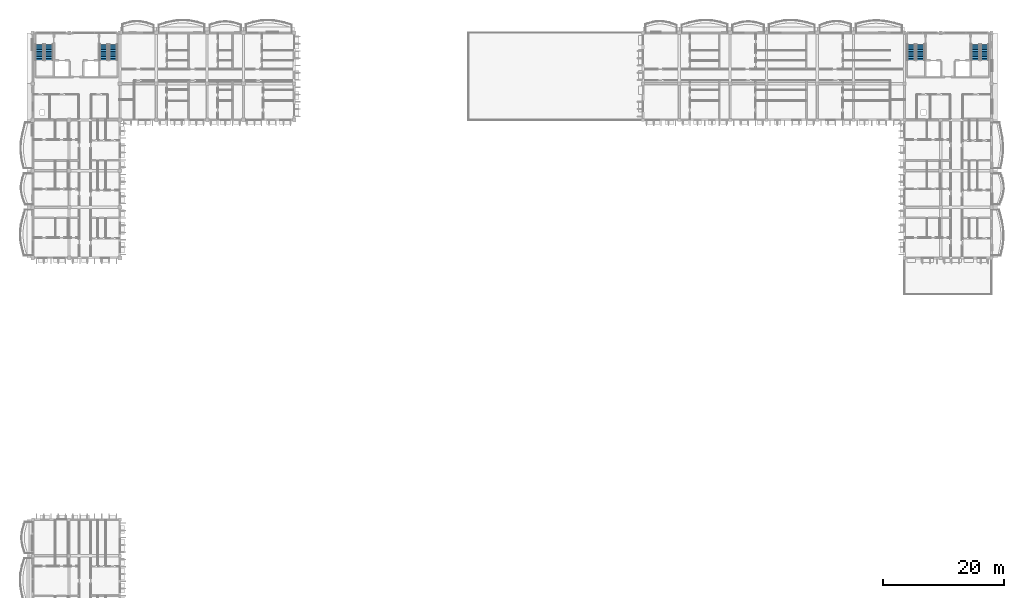
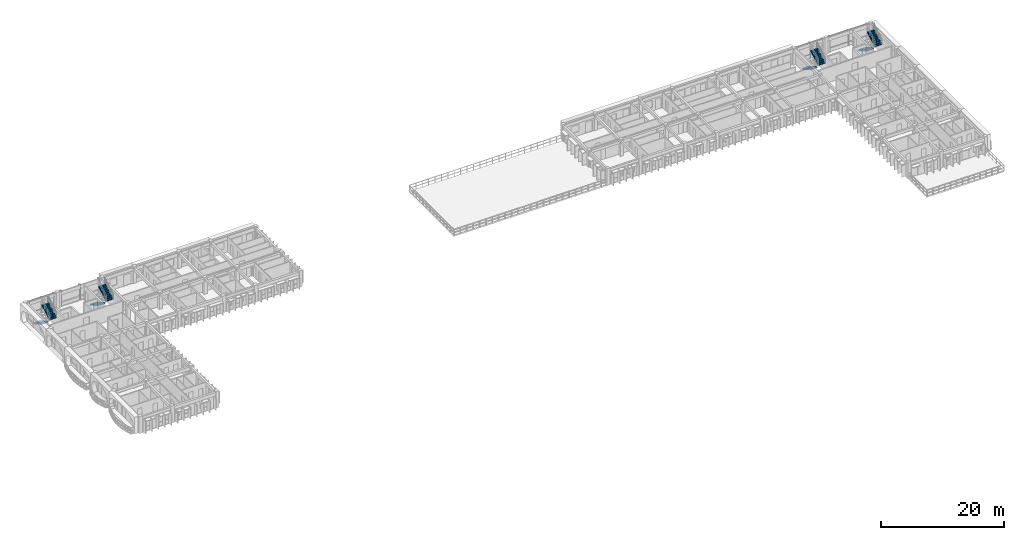
# One storey, part 28 of 45: 8 stair flights, 4 elements without a shape of their own.
"""IFC4 building model written with IfcOpenShell, lengths in metres."""

from ifc_helpers import new_model, si_unit, direction, frame, origin, place, context, subcontext, project, spatial, polyline, outline, extrude, material, type_object, element, aggregate, save


model = new_model("IFC4")

# Units and contexts
model_context = context("Model", 3, precision=1e-05, world=origin(), true_north=direction((0.0, 1.0)))
body_context = subcontext(model_context, "Body", "Model", "MODEL_VIEW")
ifc_project = project(units=[si_unit("LENGTHUNIT", "METRE"), si_unit("AREAUNIT", "SQUARE_METRE"), si_unit("VOLUMEUNIT", "CUBIC_METRE"), si_unit("PLANEANGLEUNIT", "RADIAN"), si_unit("MASSUNIT", "GRAM", prefix="KILO"), si_unit("THERMODYNAMICTEMPERATUREUNIT", "KELVIN")], contexts=[model_context])

# Site, building, storey
site_placement = place(None, origin())
site = spatial("IfcSite", under=ifc_project, at=site_placement, CompositionType="ELEMENT")
building_placement = place(site_placement, origin())
building = spatial("IfcBuilding", under=site, at=building_placement, Name="Thalorik Housing Commons", CompositionType="ELEMENT")
storey_placement = place(building_placement, frame((0.0, 0.0, 34.5)))
storey = spatial("IfcBuildingStorey", under=building, at=storey_placement, Name="L10", CompositionType="ELEMENT", Elevation=34.5)

# Stair, stair flights
ifc_material = material(Name="Precast concrete C40/50", Category="concrete")
stair_type = type_object("IfcStairType", Name="ARC-STR-1350-R20", PredefinedType="HALF_TURN_STAIR", material=ifc_material)
stair_1_placement = place(storey_placement, origin())
stair_1 = element("IfcStair", 1, at=stair_1_placement, inside=storey, type_object=stair_type, Name="L10 Block A Smoke-Proof Stair 1", PredefinedType="HALF_TURN_STAIR")
stair_flight_type = type_object("IfcStairFlightType", Name="ARC-SFLT-1350-R10", PredefinedType="STRAIGHT", material=ifc_material)
stair_flight_1_placement = place(storey_placement, frame((9.52490234375, 121.699951171875, 0.0), z_axis=(0.0, 0.0, 1.0), x_axis=(0.0, -1.0, 0.0)))
stair_flight_1 = element("IfcStairFlight", 2, at=stair_flight_1_placement, type_object=stair_flight_type, Name="ST-A1 flight 1", NumberOfRisers=10, NumberOfTreads=9, PredefinedType="STRAIGHT", RiserHeight=0.165, TreadLength=0.29, context=body_context, shape_type="SweptSolid", body=[
    extrude(outline(polyline([(0.0, 0.0), (0.0, 0.1650390625), (0.2900390625, 0.1650390625), (0.2900390625, 0.330078125), (0.580078125, 0.330078125), (0.580078125, 0.4951171875), (0.8701171875, 0.4951171875), (0.8701171875, 0.659912109375), (1.159912109375, 0.659912109375), (1.159912109375, 0.824951171875), (1.449951171875, 0.824951171875), (1.449951171875, 0.989990234375), (1.739990234375, 0.989990234375), (1.739990234375, 1.155029296875), (2.030029296875, 1.155029296875), (2.030029296875, 1.320068359375), (2.320068359375, 1.320068359375), (2.320068359375, 1.485107421875), (2.610107421875, 1.485107421875), (2.610107421875, 1.64990234375), (2.610107421875, 1.301025390625), (0.323486328125, 0.0), (0.0, 0.0)])), frame((0.0, 0.675048828125, 0.0), z_axis=(0.0, -1.0, 0.0), x_axis=(1.0, 0.0, 0.0)), (0.0, 0.0, 1.0), 1.35009765625),
])
stair_flight_2_placement = place(storey_placement, frame((11.074951171875, 119.090087890625, 1.64990234375), z_axis=(0.0, 0.0, 1.0), x_axis=(0.0, 1.0, 0.0)))
stair_flight_2 = element("IfcStairFlight", 3, at=stair_flight_2_placement, type_object=stair_flight_type, Name="ST-A1 flight 2", NumberOfRisers=10, NumberOfTreads=9, PredefinedType="STRAIGHT", RiserHeight=0.165, TreadLength=0.29, context=body_context, shape_type="SweptSolid", body=[
    extrude(outline(polyline([(0.0, 0.0), (0.0, 0.1650390625), (0.2900390625, 0.1650390625), (0.2900390625, 0.330078125), (0.580078125, 0.330078125), (0.580078125, 0.4951171875), (0.8701171875, 0.4951171875), (0.8701171875, 0.659912109375), (1.159912109375, 0.659912109375), (1.159912109375, 0.824951171875), (1.449951171875, 0.824951171875), (1.449951171875, 0.989990234375), (1.739990234375, 0.989990234375), (1.739990234375, 1.155029296875), (2.030029296875, 1.155029296875), (2.030029296875, 1.320068359375), (2.320068359375, 1.320068359375), (2.320068359375, 1.485107421875), (2.610107421875, 1.485107421875), (2.610107421875, 1.64990234375), (2.610107421875, 1.301025390625), (0.323486328125, 0.0), (0.0, 0.0)])), frame((0.0, 0.675048828125, 0.0), z_axis=(0.0, -1.0, 0.0), x_axis=(1.0, 0.0, 0.0)), (0.0, 0.0, 1.0), 1.35009765625),
])
aggregate(stair_1, [stair_flight_1, stair_flight_2])

stair_2_placement = place(storey_placement, origin())
stair_2 = element("IfcStair", 4, at=stair_2_placement, inside=storey, type_object=stair_type, Name="L10 Block A Smoke-Proof Stair 2", PredefinedType="HALF_TURN_STAIR")
stair_flight_3_placement = place(storey_placement, frame((20.125, 121.699951171875, 0.0), z_axis=(0.0, 0.0, 1.0), x_axis=(0.0, -1.0, 0.0)))
stair_flight_3 = element("IfcStairFlight", 5, at=stair_flight_3_placement, type_object=stair_flight_type, Name="ST-A2 flight 1", NumberOfRisers=10, NumberOfTreads=9, PredefinedType="STRAIGHT", RiserHeight=0.165, TreadLength=0.29, context=body_context, shape_type="SweptSolid", body=[
    extrude(outline(polyline([(0.0, 0.0), (0.0, 0.1650390625), (0.2900390625, 0.1650390625), (0.2900390625, 0.330078125), (0.580078125, 0.330078125), (0.580078125, 0.4951171875), (0.8701171875, 0.4951171875), (0.8701171875, 0.659912109375), (1.159912109375, 0.659912109375), (1.159912109375, 0.824951171875), (1.449951171875, 0.824951171875), (1.449951171875, 0.989990234375), (1.739990234375, 0.989990234375), (1.739990234375, 1.155029296875), (2.030029296875, 1.155029296875), (2.030029296875, 1.320068359375), (2.320068359375, 1.320068359375), (2.320068359375, 1.485107421875), (2.610107421875, 1.485107421875), (2.610107421875, 1.64990234375), (2.610107421875, 1.301025390625), (0.323486328125, 0.0), (0.0, 0.0)])), frame((0.0, 0.675048828125, 0.0), z_axis=(0.0, -1.0, 0.0), x_axis=(1.0, 0.0, 0.0)), (0.0, 0.0, 1.0), 1.35009765625),
])
stair_flight_4_placement = place(storey_placement, frame((21.675048828125, 119.090087890625, 1.64990234375), z_axis=(0.0, 0.0, 1.0), x_axis=(0.0, 1.0, 0.0)))
stair_flight_4 = element("IfcStairFlight", 6, at=stair_flight_4_placement, type_object=stair_flight_type, Name="ST-A2 flight 2", NumberOfRisers=10, NumberOfTreads=9, PredefinedType="STRAIGHT", RiserHeight=0.165, TreadLength=0.29, context=body_context, shape_type="SweptSolid", body=[
    extrude(outline(polyline([(0.0, 0.0), (0.0, 0.1650390625), (0.2900390625, 0.1650390625), (0.2900390625, 0.330078125), (0.580078125, 0.330078125), (0.580078125, 0.4951171875), (0.8701171875, 0.4951171875), (0.8701171875, 0.659912109375), (1.159912109375, 0.659912109375), (1.159912109375, 0.824951171875), (1.449951171875, 0.824951171875), (1.449951171875, 0.989990234375), (1.739990234375, 0.989990234375), (1.739990234375, 1.155029296875), (2.030029296875, 1.155029296875), (2.030029296875, 1.320068359375), (2.320068359375, 1.320068359375), (2.320068359375, 1.485107421875), (2.610107421875, 1.485107421875), (2.610107421875, 1.64990234375), (2.610107421875, 1.301025390625), (0.323486328125, 0.0), (0.0, 0.0)])), frame((0.0, 0.675048828125, 0.0), z_axis=(0.0, -1.0, 0.0), x_axis=(1.0, 0.0, 0.0)), (0.0, 0.0, 1.0), 1.35009765625),
])
aggregate(stair_2, [stair_flight_3, stair_flight_4])

stair_3_placement = place(storey_placement, origin())
stair_3 = element("IfcStair", 7, at=stair_3_placement, inside=storey, type_object=stair_type, Name="L10 Block B Smoke-Proof Stair 1", PredefinedType="HALF_TURN_STAIR")
stair_flight_5_placement = place(storey_placement, frame((153.52490234375, 121.699951171875, 0.0), z_axis=(0.0, 0.0, 1.0), x_axis=(0.0, -1.0, 0.0)))
stair_flight_5 = element("IfcStairFlight", 8, at=stair_flight_5_placement, type_object=stair_flight_type, Name="ST-B1 flight 1", NumberOfRisers=10, NumberOfTreads=9, PredefinedType="STRAIGHT", RiserHeight=0.165, TreadLength=0.29, context=body_context, shape_type="SweptSolid", body=[
    extrude(outline(polyline([(0.0, 0.0), (0.0, 0.1650390625), (0.2900390625, 0.1650390625), (0.2900390625, 0.330078125), (0.580078125, 0.330078125), (0.580078125, 0.4951171875), (0.8701171875, 0.4951171875), (0.8701171875, 0.659912109375), (1.159912109375, 0.659912109375), (1.159912109375, 0.824951171875), (1.449951171875, 0.824951171875), (1.449951171875, 0.989990234375), (1.739990234375, 0.989990234375), (1.739990234375, 1.155029296875), (2.030029296875, 1.155029296875), (2.030029296875, 1.320068359375), (2.320068359375, 1.320068359375), (2.320068359375, 1.485107421875), (2.610107421875, 1.485107421875), (2.610107421875, 1.64990234375), (2.610107421875, 1.301025390625), (0.323486328125, 0.0), (0.0, 0.0)])), frame((0.0, 0.675048828125, 0.0), z_axis=(0.0, -1.0, 0.0), x_axis=(1.0, 0.0, 0.0)), (0.0, 0.0, 1.0), 1.35009765625),
])
stair_flight_6_placement = place(storey_placement, frame((155.074951171875, 119.090087890625, 1.64990234375), z_axis=(0.0, 0.0, 1.0), x_axis=(0.0, 1.0, 0.0)))
stair_flight_6 = element("IfcStairFlight", 9, at=stair_flight_6_placement, type_object=stair_flight_type, Name="ST-B1 flight 2", NumberOfRisers=10, NumberOfTreads=9, PredefinedType="STRAIGHT", RiserHeight=0.165, TreadLength=0.29, context=body_context, shape_type="SweptSolid", body=[
    extrude(outline(polyline([(0.0, 0.0), (0.0, 0.1650390625), (0.2900390625, 0.1650390625), (0.2900390625, 0.330078125), (0.580078125, 0.330078125), (0.580078125, 0.4951171875), (0.8701171875, 0.4951171875), (0.8701171875, 0.659912109375), (1.159912109375, 0.659912109375), (1.159912109375, 0.824951171875), (1.449951171875, 0.824951171875), (1.449951171875, 0.989990234375), (1.739990234375, 0.989990234375), (1.739990234375, 1.155029296875), (2.030029296875, 1.155029296875), (2.030029296875, 1.320068359375), (2.320068359375, 1.320068359375), (2.320068359375, 1.485107421875), (2.610107421875, 1.485107421875), (2.610107421875, 1.64990234375), (2.610107421875, 1.301025390625), (0.323486328125, 0.0), (0.0, 0.0)])), frame((0.0, 0.675048828125, 0.0), z_axis=(0.0, -1.0, 0.0), x_axis=(1.0, 0.0, 0.0)), (0.0, 0.0, 1.0), 1.35009765625),
])
aggregate(stair_3, [stair_flight_5, stair_flight_6])

stair_4_placement = place(storey_placement, origin())
stair_4 = element("IfcStair", 10, at=stair_4_placement, inside=storey, type_object=stair_type, Name="L10 Block B Smoke-Proof Stair 2", PredefinedType="HALF_TURN_STAIR")
stair_flight_7_placement = place(storey_placement, frame((164.125, 121.699951171875, 0.0), z_axis=(0.0, 0.0, 1.0), x_axis=(0.0, -1.0, 0.0)))
stair_flight_7 = element("IfcStairFlight", 11, at=stair_flight_7_placement, type_object=stair_flight_type, Name="ST-B2 flight 1", NumberOfRisers=10, NumberOfTreads=9, PredefinedType="STRAIGHT", RiserHeight=0.165, TreadLength=0.29, context=body_context, shape_type="SweptSolid", body=[
    extrude(outline(polyline([(0.0, 0.0), (0.0, 0.1650390625), (0.2900390625, 0.1650390625), (0.2900390625, 0.330078125), (0.580078125, 0.330078125), (0.580078125, 0.4951171875), (0.8701171875, 0.4951171875), (0.8701171875, 0.659912109375), (1.159912109375, 0.659912109375), (1.159912109375, 0.824951171875), (1.449951171875, 0.824951171875), (1.449951171875, 0.989990234375), (1.739990234375, 0.989990234375), (1.739990234375, 1.155029296875), (2.030029296875, 1.155029296875), (2.030029296875, 1.320068359375), (2.320068359375, 1.320068359375), (2.320068359375, 1.485107421875), (2.610107421875, 1.485107421875), (2.610107421875, 1.64990234375), (2.610107421875, 1.301025390625), (0.323486328125, 0.0), (0.0, 0.0)])), frame((0.0, 0.675048828125, 0.0), z_axis=(0.0, -1.0, 0.0), x_axis=(1.0, 0.0, 0.0)), (0.0, 0.0, 1.0), 1.35009765625),
])
stair_flight_8_placement = place(storey_placement, frame((165.675048828125, 119.090087890625, 1.64990234375), z_axis=(0.0, 0.0, 1.0), x_axis=(0.0, 1.0, 0.0)))
stair_flight_8 = element("IfcStairFlight", 12, at=stair_flight_8_placement, type_object=stair_flight_type, Name="ST-B2 flight 2", NumberOfRisers=10, NumberOfTreads=9, PredefinedType="STRAIGHT", RiserHeight=0.165, TreadLength=0.29, context=body_context, shape_type="SweptSolid", body=[
    extrude(outline(polyline([(0.0, 0.0), (0.0, 0.1650390625), (0.2900390625, 0.1650390625), (0.2900390625, 0.330078125), (0.580078125, 0.330078125), (0.580078125, 0.4951171875), (0.8701171875, 0.4951171875), (0.8701171875, 0.659912109375), (1.159912109375, 0.659912109375), (1.159912109375, 0.824951171875), (1.449951171875, 0.824951171875), (1.449951171875, 0.989990234375), (1.739990234375, 0.989990234375), (1.739990234375, 1.155029296875), (2.030029296875, 1.155029296875), (2.030029296875, 1.320068359375), (2.320068359375, 1.320068359375), (2.320068359375, 1.485107421875), (2.610107421875, 1.485107421875), (2.610107421875, 1.64990234375), (2.610107421875, 1.301025390625), (0.323486328125, 0.0), (0.0, 0.0)])), frame((0.0, 0.675048828125, 0.0), z_axis=(0.0, -1.0, 0.0), x_axis=(1.0, 0.0, 0.0)), (0.0, 0.0, 1.0), 1.35009765625),
])
aggregate(stair_4, [stair_flight_7, stair_flight_8])

save(model, "model.ifc")
